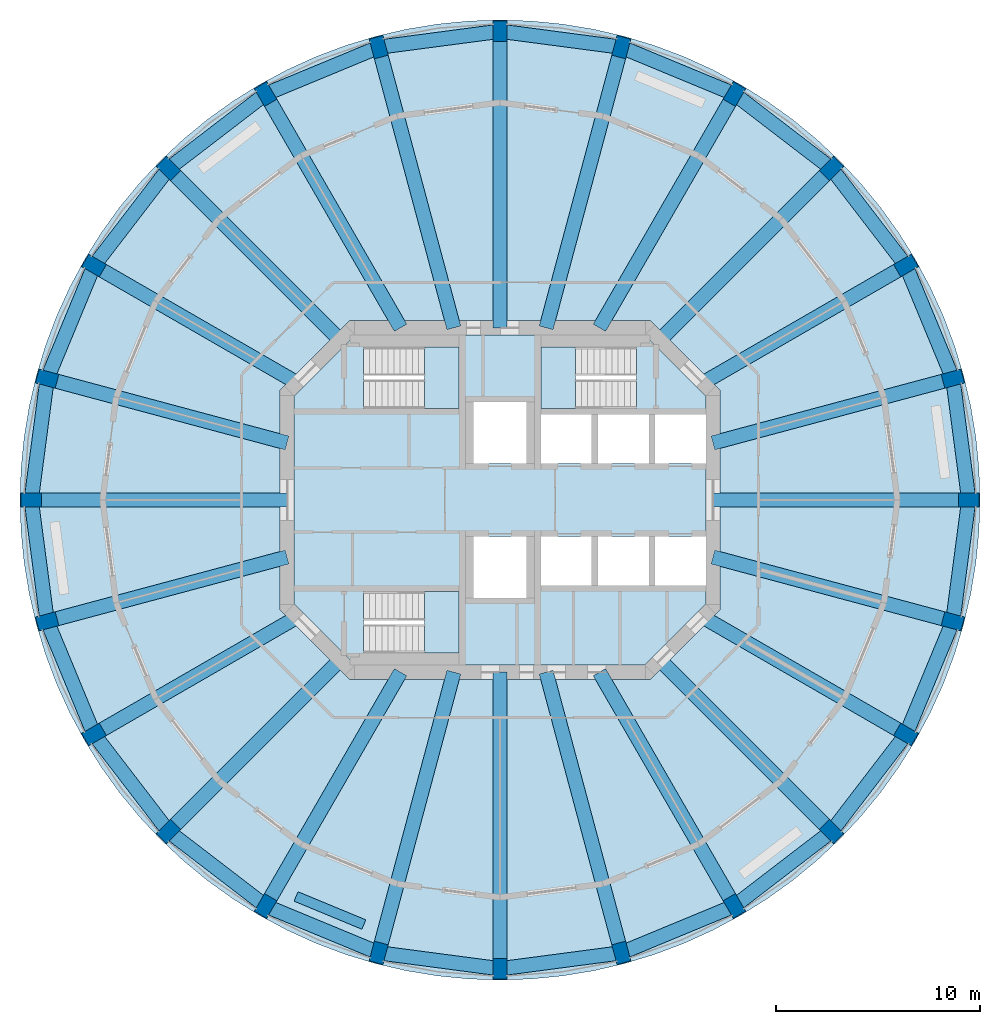
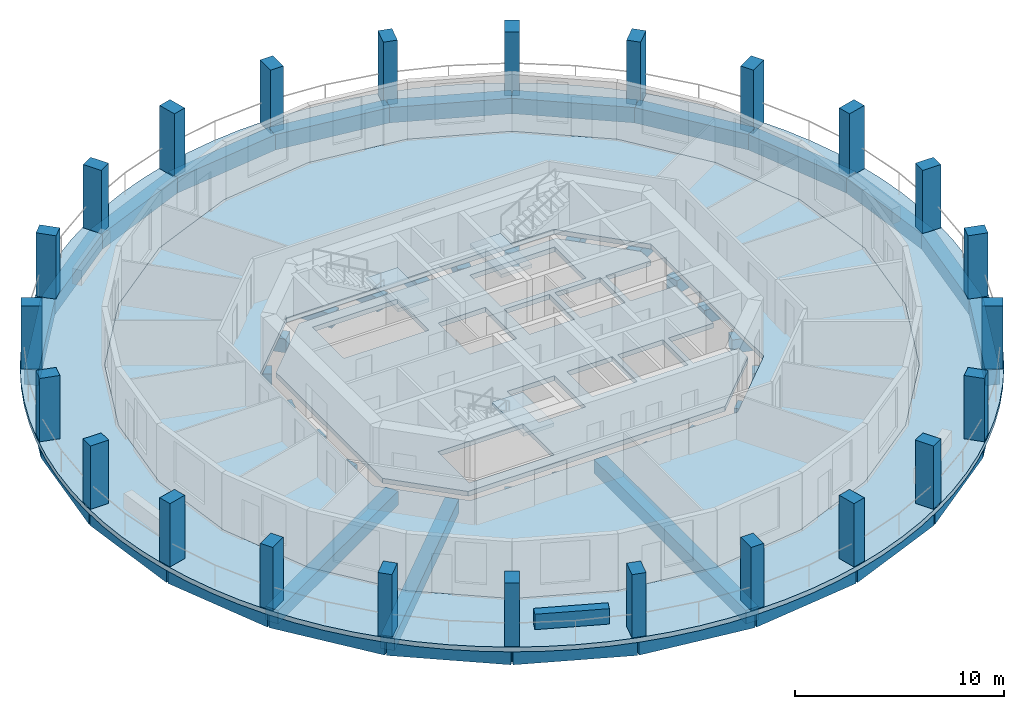
# One storey, part 1 of 8: 48 beams, 24 columns, 6 slabs, 1 wall, 3 elements without a shape of their own.
"""IFC4 building model written with IfcOpenShell, lengths in metres."""

from ifc_helpers import new_model, si_unit, direction, frame, frame_2d, origin, origin_2d, place, context, subcontext, project, spatial, polyline, rectangle, outline, extrude, material, layer, layer_set, material_profile, profile_set, type_object, element, aggregate, save


model = new_model("IFC4")

# Units and contexts
model_context = context("Model", 3, precision=1e-05, world=origin(), true_north=direction((0.0, 1.0)))
body_context = subcontext(model_context, "Body", "Model", "MODEL_VIEW")
ifc_project = project(units=[si_unit("LENGTHUNIT", "METRE"), si_unit("AREAUNIT", "SQUARE_METRE"), si_unit("VOLUMEUNIT", "CUBIC_METRE"), si_unit("PLANEANGLEUNIT", "RADIAN"), si_unit("MASSUNIT", "GRAM", prefix="KILO")], contexts=[model_context])

# Site, building, storey
site_placement = place(None, origin())
site = spatial("IfcSite", under=ifc_project, at=site_placement, CompositionType="ELEMENT")
building_placement = place(site_placement, origin())
building = spatial("IfcBuilding", under=site, at=building_placement, Name="Torre Triforio", CompositionType="ELEMENT")
storey_placement = place(building_placement, frame((0.0, 0.0, 196.5)))
storey = spatial("IfcBuildingStorey", under=building, at=storey_placement, Name="L44", CompositionType="ELEMENT", Elevation=196.5)

# Columns
ifc_material_1 = material(Name="Concrete C50", Category="concrete")
ifc_material_profile_1 = material_profile(ifc_material_1, rectangle(XDim=0.699951171875, YDim=1.0, at=origin_2d()), Name="RC 700x1000")
ifc_profile_set_1 = profile_set([ifc_material_profile_1], Name="Concrete C50")
column_type = type_object("IfcColumnType", Name="Pier RC 700x1000 C50", PredefinedType="COLUMN", material=ifc_profile_set_1)
for number, where, z_axis, x_axis, name in (
    (1, (23.0, 0.0, 0.0), (0.0, 0.0, 1.0), (0.0, 1.0, 0.0), "COL.R.L44.00"),
    (2, (22.21630859375, 5.952880859375, 0.0), (0.0, 0.0, 1.0), (-0.258819045103, 0.965925826289, 0.0), "COL.R.L44.01"),
    (3, (19.918701171875, 11.5, 0.0), (0.0, 0.0, 1.0), (-0.5, 0.866025403784, 0.0), "COL.R.L44.02"),
    (4, (16.263427734375, 16.263427734375, 0.0), (0.0, 0.0, 1.0), (-0.707106781187, 0.707106781187, 0.0), "COL.R.L44.03"),
    (5, (11.5, 19.918701171875, 0.0), (0.0, 0.0, 1.0), (-0.866025403784, 0.5, 0.0), "COL.R.L44.04"),
    (6, (5.952880859375, 22.21630859375, 0.0), (0.0, 0.0, 1.0), (-0.965925826289, 0.258819045103, 0.0), "COL.R.L44.05"),
    (7, (0.0, 23.0, 0.0), (0.0, 0.0, 1.0), (-1.0, 0.0, 0.0), "COL.R.L44.06"),
    (8, (-5.952880859375, 22.21630859375, 0.0), (0.0, 0.0, 1.0), (-0.965925826289, -0.258819045103, 0.0), "COL.R.L44.07"),
    (9, (-11.5, 19.918701171875, 0.0), (0.0, 0.0, 1.0), (-0.866025403784, -0.5, 0.0), "COL.R.L44.08"),
    (10, (-16.263427734375, 16.263427734375, 0.0), (0.0, 0.0, 1.0), (-0.707106781187, -0.707106781187, 0.0), "COL.R.L44.09"),
    (11, (-19.918701171875, 11.5, 0.0), (0.0, 0.0, 1.0), (-0.5, -0.866025403784, 0.0), "COL.R.L44.10"),
    (12, (-22.21630859375, 5.952880859375, 0.0), (0.0, 0.0, 1.0), (-0.258819045103, -0.965925826289, 0.0), "COL.R.L44.11"),
    (13, (-23.0, 0.0, 0.0), (0.0, 0.0, 1.0), (0.0, -1.0, 0.0), "COL.R.L44.12"),
    (14, (-22.21630859375, -5.952880859375, 0.0), (0.0, 0.0, 1.0), (0.258819045103, -0.965925826289, 0.0), "COL.R.L44.13"),
    (15, (-19.918701171875, -11.5, 0.0), (0.0, 0.0, 1.0), (0.5, -0.866025403784, 0.0), "COL.R.L44.14"),
    (16, (-16.263427734375, -16.263427734375, 0.0), (0.0, 0.0, 1.0), (0.707106781187, -0.707106781187, 0.0), "COL.R.L44.15"),
    (17, (-11.5, -19.918701171875, 0.0), (0.0, 0.0, 1.0), (0.866025403784, -0.5, 0.0), "COL.R.L44.16"),
    (18, (-5.952880859375, -22.21630859375, 0.0), (0.0, 0.0, 1.0), (0.965925826289, -0.258819045103, 0.0), "COL.R.L44.17"),
    (19, (0.0, -23.0, 0.0), (0.0, 0.0, 1.0), (1.0, 0.0, 0.0), "COL.R.L44.18"),
    (20, (5.952880859375, -22.21630859375, 0.0), (0.0, 0.0, 1.0), (0.965925826289, 0.258819045103, 0.0), "COL.R.L44.19"),
    (21, (11.5, -19.918701171875, 0.0), (0.0, 0.0, 1.0), (0.866025403784, 0.5, 0.0), "COL.R.L44.20"),
    (22, (16.263427734375, -16.263427734375, 0.0), (0.0, 0.0, 1.0), (0.707106781187, 0.707106781187, 0.0), "COL.R.L44.21"),
    (23, (19.918701171875, -11.5, 0.0), (0.0, 0.0, 1.0), (0.5, 0.866025403784, 0.0), "COL.R.L44.22"),
    (24, (22.21630859375, -5.952880859375, 0.0), (0.0, 0.0, 1.0), (0.258819045103, 0.965925826289, 0.0), "COL.R.L44.23"),
):
    element("IfcColumn", number, at=place(storey_placement, frame(where, z_axis=z_axis, x_axis=x_axis)), inside=storey, type_object=column_type, Name=name, PredefinedType="COLUMN", context=body_context, shape_type="SweptSolid", body=[
        extrude(rectangle(XDim=0.699951171875, YDim=1.0, at=origin_2d()), origin(), (0.0, 0.0, 1.0), 3.699951171875),
    ])

# Beams
ifc_material_2 = material(Name="Concrete C40", Category="concrete")
ifc_material_profile_2 = material_profile(ifc_material_2, rectangle(XDim=0.699951171875, YDim=0.800048828125, at=origin_2d()), Name="RC 700x800")
ifc_profile_set_2 = profile_set([ifc_material_profile_2], Name="Concrete C40")
beam_type_1 = type_object("IfcBeamType", Name="Radial beam RC 700x800 C40", PredefinedType="BEAM", material=ifc_profile_set_2)
beam_1_placement = place(storey_placement, frame((10.449951171875, 0.0, -0.679931640625), z_axis=(1.0, 0.0, 0.0), x_axis=(0.0, 1.0, 0.0)))
element("IfcBeam", 25, at=beam_1_placement, inside=storey, type_object=beam_type_1, Name="BM.R.L44.00", PredefinedType="BEAM", context=body_context, shape_type="SweptSolid", body=[
    extrude(rectangle(XDim=0.699951171875, YDim=0.800048828125, at=origin_2d()), origin(), (0.0, 0.0, 1.0), 12.550048828125),
])
beam_2_placement = place(storey_placement, frame((10.449951171875, 2.800048828125, -0.679931640625), z_axis=(0.965924880947, 0.258822573141, 0.0), x_axis=(-0.258822573141, 0.965924880947, 0.0)))
element("IfcBeam", 26, at=beam_2_placement, inside=storey, type_object=beam_type_1, Name="BM.R.L44.01", PredefinedType="BEAM", context=body_context, shape_type="SweptSolid", body=[
    extrude(rectangle(XDim=0.699951171875, YDim=0.800048828125, at=origin_2d()), origin(), (0.0, 0.0, 1.0), 12.181396484375),
])
beam_3_placement = place(storey_placement, frame((9.9501953125, 5.744873046875, -0.679931640625), z_axis=(0.866032648629, 0.499987451351, 0.0), x_axis=(-0.499987451351, 0.866032648629, 0.0)))
element("IfcBeam", 27, at=beam_3_placement, inside=storey, type_object=beam_type_1, Name="BM.R.L44.02", PredefinedType="BEAM", context=body_context, shape_type="SweptSolid", body=[
    extrude(rectangle(XDim=0.699951171875, YDim=0.800048828125, at=origin_2d()), origin(), (0.0, 0.0, 1.0), 11.510498046875),
])
beam_4_placement = place(storey_placement, frame((7.847412109375, 7.847412109375, -0.679931640625), z_axis=(0.707106781187, 0.707106781187, 0.0), x_axis=(-0.707106781187, 0.707106781187, 0.0)))
element("IfcBeam", 28, at=beam_4_placement, inside=storey, type_object=beam_type_1, Name="BM.R.L44.03", PredefinedType="BEAM", context=body_context, shape_type="SweptSolid", body=[
    extrude(rectangle(XDim=0.699951171875, YDim=0.800048828125, at=origin_2d()), origin(), (0.0, 0.0, 1.0), 11.902099609375),
])
beam_5_placement = place(storey_placement, frame((4.878662109375, 8.449951171875, -0.679931640625), z_axis=(0.499991617607, 0.866030243307, 0.0), x_axis=(-0.866030243307, 0.499991617607, 0.0)))
element("IfcBeam", 29, at=beam_5_placement, inside=storey, type_object=beam_type_1, Name="BM.R.L44.04", PredefinedType="BEAM", context=body_context, shape_type="SweptSolid", body=[
    extrude(rectangle(XDim=0.699951171875, YDim=0.800048828125, at=origin_2d()), origin(), (0.0, 0.0, 1.0), 13.242919921875),
])
beam_6_placement = place(storey_placement, frame((2.26416015625, 8.449951171875, -0.679931640625), z_axis=(0.258821424719, 0.96592518867, 0.0), x_axis=(-0.96592518867, 0.258821424719, 0.0)))
element("IfcBeam", 30, at=beam_6_placement, inside=storey, type_object=beam_type_1, Name="BM.R.L44.05", PredefinedType="BEAM", context=body_context, shape_type="SweptSolid", body=[
    extrude(rectangle(XDim=0.699951171875, YDim=0.800048828125, at=origin_2d()), origin(), (0.0, 0.0, 1.0), 14.251953125),
])
beam_7_placement = place(storey_placement, frame((0.0, 8.449951171875, -0.679931640625), z_axis=(0.0, 1.0, 0.0), x_axis=(-1.0, 0.0, 0.0)))
element("IfcBeam", 31, at=beam_7_placement, inside=storey, type_object=beam_type_1, Name="BM.R.L44.06", PredefinedType="BEAM", context=body_context, shape_type="SweptSolid", body=[
    extrude(rectangle(XDim=0.699951171875, YDim=0.800048828125, at=origin_2d()), origin(), (0.0, 0.0, 1.0), 14.550048828125),
])
beam_8_placement = place(storey_placement, frame((-2.26416015625, 8.449951171875, -0.679931640625), z_axis=(-0.258821424719, 0.96592518867, 0.0), x_axis=(-0.96592518867, -0.258821424719, 0.0)))
element("IfcBeam", 32, at=beam_8_placement, inside=storey, type_object=beam_type_1, Name="BM.R.L44.07", PredefinedType="BEAM", context=body_context, shape_type="SweptSolid", body=[
    extrude(rectangle(XDim=0.699951171875, YDim=0.800048828125, at=origin_2d()), origin(), (0.0, 0.0, 1.0), 14.251953125),
])
beam_9_placement = place(storey_placement, frame((-4.878662109375, 8.449951171875, -0.679931640625), z_axis=(-0.499991617607, 0.866030243307, 0.0), x_axis=(-0.866030243307, -0.499991617607, 0.0)))
element("IfcBeam", 33, at=beam_9_placement, inside=storey, type_object=beam_type_1, Name="BM.R.L44.08", PredefinedType="BEAM", context=body_context, shape_type="SweptSolid", body=[
    extrude(rectangle(XDim=0.699951171875, YDim=0.800048828125, at=origin_2d()), origin(), (0.0, 0.0, 1.0), 13.242919921875),
])
beam_10_placement = place(storey_placement, frame((-7.847412109375, 7.847412109375, -0.679931640625), z_axis=(-0.707106781187, 0.707106781187, 0.0), x_axis=(-0.707106781187, -0.707106781187, 0.0)))
element("IfcBeam", 34, at=beam_10_placement, inside=storey, type_object=beam_type_1, Name="BM.R.L44.09", PredefinedType="BEAM", context=body_context, shape_type="SweptSolid", body=[
    extrude(rectangle(XDim=0.699951171875, YDim=0.800048828125, at=origin_2d()), origin(), (0.0, 0.0, 1.0), 11.902099609375),
])
beam_11_placement = place(storey_placement, frame((-9.9501953125, 5.744873046875, -0.679931640625), z_axis=(-0.866032648629, 0.499987451351, 0.0), x_axis=(-0.499987451351, -0.866032648629, 0.0)))
element("IfcBeam", 35, at=beam_11_placement, inside=storey, type_object=beam_type_1, Name="BM.R.L44.10", PredefinedType="BEAM", context=body_context, shape_type="SweptSolid", body=[
    extrude(rectangle(XDim=0.699951171875, YDim=0.800048828125, at=origin_2d()), origin(), (0.0, 0.0, 1.0), 11.510498046875),
])
beam_12_placement = place(storey_placement, frame((-10.449951171875, 2.800048828125, -0.679931640625), z_axis=(-0.965924880947, 0.258822573141, 0.0), x_axis=(-0.258822573141, -0.965924880947, 0.0)))
element("IfcBeam", 36, at=beam_12_placement, inside=storey, type_object=beam_type_1, Name="BM.R.L44.11", PredefinedType="BEAM", context=body_context, shape_type="SweptSolid", body=[
    extrude(rectangle(XDim=0.699951171875, YDim=0.800048828125, at=origin_2d()), origin(), (0.0, 0.0, 1.0), 12.181396484375),
])
beam_13_placement = place(storey_placement, frame((-10.449951171875, 0.0, -0.679931640625), z_axis=(-1.0, 0.0, 0.0), x_axis=(0.0, -1.0, 0.0)))
element("IfcBeam", 37, at=beam_13_placement, inside=storey, type_object=beam_type_1, Name="BM.R.L44.12", PredefinedType="BEAM", context=body_context, shape_type="SweptSolid", body=[
    extrude(rectangle(XDim=0.699951171875, YDim=0.800048828125, at=origin_2d()), origin(), (0.0, 0.0, 1.0), 12.550048828125),
])
beam_14_placement = place(storey_placement, frame((-10.449951171875, -2.800048828125, -0.679931640625), z_axis=(-0.965924880947, -0.258822573141, 0.0), x_axis=(0.258822573141, -0.965924880947, 0.0)))
element("IfcBeam", 38, at=beam_14_placement, inside=storey, type_object=beam_type_1, Name="BM.R.L44.13", PredefinedType="BEAM", context=body_context, shape_type="SweptSolid", body=[
    extrude(rectangle(XDim=0.699951171875, YDim=0.800048828125, at=origin_2d()), origin(), (0.0, 0.0, 1.0), 12.181396484375),
])
beam_15_placement = place(storey_placement, frame((-9.9501953125, -5.744873046875, -0.679931640625), z_axis=(-0.866032648629, -0.499987451351, 0.0), x_axis=(0.499987451351, -0.866032648629, 0.0)))
element("IfcBeam", 39, at=beam_15_placement, inside=storey, type_object=beam_type_1, Name="BM.R.L44.14", PredefinedType="BEAM", context=body_context, shape_type="SweptSolid", body=[
    extrude(rectangle(XDim=0.699951171875, YDim=0.800048828125, at=origin_2d()), origin(), (0.0, 0.0, 1.0), 11.510498046875),
])
beam_16_placement = place(storey_placement, frame((-7.847412109375, -7.847412109375, -0.679931640625), z_axis=(-0.707106781187, -0.707106781187, 0.0), x_axis=(0.707106781187, -0.707106781187, 0.0)))
element("IfcBeam", 40, at=beam_16_placement, inside=storey, type_object=beam_type_1, Name="BM.R.L44.15", PredefinedType="BEAM", context=body_context, shape_type="SweptSolid", body=[
    extrude(rectangle(XDim=0.699951171875, YDim=0.800048828125, at=origin_2d()), origin(), (0.0, 0.0, 1.0), 11.902099609375),
])
beam_17_placement = place(storey_placement, frame((-4.878662109375, -8.449951171875, -0.679931640625), z_axis=(-0.499991617607, -0.866030243307, 0.0), x_axis=(0.866030243307, -0.499991617607, 0.0)))
element("IfcBeam", 41, at=beam_17_placement, inside=storey, type_object=beam_type_1, Name="BM.R.L44.16", PredefinedType="BEAM", context=body_context, shape_type="SweptSolid", body=[
    extrude(rectangle(XDim=0.699951171875, YDim=0.800048828125, at=origin_2d()), origin(), (0.0, 0.0, 1.0), 13.242919921875),
])
beam_18_placement = place(storey_placement, frame((-2.26416015625, -8.449951171875, -0.679931640625), z_axis=(-0.258821424719, -0.96592518867, 0.0), x_axis=(0.96592518867, -0.258821424719, 0.0)))
element("IfcBeam", 42, at=beam_18_placement, inside=storey, type_object=beam_type_1, Name="BM.R.L44.17", PredefinedType="BEAM", context=body_context, shape_type="SweptSolid", body=[
    extrude(rectangle(XDim=0.699951171875, YDim=0.800048828125, at=origin_2d()), origin(), (0.0, 0.0, 1.0), 14.251953125),
])
beam_19_placement = place(storey_placement, frame((0.0, -8.449951171875, -0.679931640625), z_axis=(0.0, -1.0, 0.0), x_axis=(1.0, 0.0, 0.0)))
element("IfcBeam", 43, at=beam_19_placement, inside=storey, type_object=beam_type_1, Name="BM.R.L44.18", PredefinedType="BEAM", context=body_context, shape_type="SweptSolid", body=[
    extrude(rectangle(XDim=0.699951171875, YDim=0.800048828125, at=origin_2d()), origin(), (0.0, 0.0, 1.0), 14.550048828125),
])
beam_20_placement = place(storey_placement, frame((2.26416015625, -8.449951171875, -0.679931640625), z_axis=(0.258821424719, -0.96592518867, 0.0), x_axis=(0.96592518867, 0.258821424719, 0.0)))
element("IfcBeam", 44, at=beam_20_placement, inside=storey, type_object=beam_type_1, Name="BM.R.L44.19", PredefinedType="BEAM", context=body_context, shape_type="SweptSolid", body=[
    extrude(rectangle(XDim=0.699951171875, YDim=0.800048828125, at=origin_2d()), origin(), (0.0, 0.0, 1.0), 14.251953125),
])
beam_21_placement = place(storey_placement, frame((4.878662109375, -8.449951171875, -0.679931640625), z_axis=(0.499991617607, -0.866030243307, 0.0), x_axis=(0.866030243307, 0.499991617607, 0.0)))
element("IfcBeam", 45, at=beam_21_placement, inside=storey, type_object=beam_type_1, Name="BM.R.L44.20", PredefinedType="BEAM", context=body_context, shape_type="SweptSolid", body=[
    extrude(rectangle(XDim=0.699951171875, YDim=0.800048828125, at=origin_2d()), origin(), (0.0, 0.0, 1.0), 13.242919921875),
])
beam_22_placement = place(storey_placement, frame((7.847412109375, -7.847412109375, -0.679931640625), z_axis=(0.707106781187, -0.707106781187, 0.0), x_axis=(0.707106781187, 0.707106781187, 0.0)))
element("IfcBeam", 46, at=beam_22_placement, inside=storey, type_object=beam_type_1, Name="BM.R.L44.21", PredefinedType="BEAM", context=body_context, shape_type="SweptSolid", body=[
    extrude(rectangle(XDim=0.699951171875, YDim=0.800048828125, at=origin_2d()), origin(), (0.0, 0.0, 1.0), 11.902099609375),
])
beam_23_placement = place(storey_placement, frame((9.9501953125, -5.744873046875, -0.679931640625), z_axis=(0.866032648629, -0.499987451351, 0.0), x_axis=(0.499987451351, 0.866032648629, 0.0)))
element("IfcBeam", 47, at=beam_23_placement, inside=storey, type_object=beam_type_1, Name="BM.R.L44.22", PredefinedType="BEAM", context=body_context, shape_type="SweptSolid", body=[
    extrude(rectangle(XDim=0.699951171875, YDim=0.800048828125, at=origin_2d()), origin(), (0.0, 0.0, 1.0), 11.510498046875),
])
beam_24_placement = place(storey_placement, frame((10.449951171875, -2.800048828125, -0.679931640625), z_axis=(0.965924880947, -0.258822573141, 0.0), x_axis=(0.258822573141, 0.965924880947, 0.0)))
element("IfcBeam", 48, at=beam_24_placement, inside=storey, type_object=beam_type_1, Name="BM.R.L44.23", PredefinedType="BEAM", context=body_context, shape_type="SweptSolid", body=[
    extrude(rectangle(XDim=0.699951171875, YDim=0.800048828125, at=origin_2d()), origin(), (0.0, 0.0, 1.0), 12.181396484375),
])
ifc_material_profile_3 = material_profile(ifc_material_2, rectangle(XDim=0.699951171875, YDim=0.89990234375, at=origin_2d()), Name="RC 700x900")
ifc_profile_set_3 = profile_set([ifc_material_profile_3], Name="Concrete C40")
beam_type_2 = type_object("IfcBeamType", Name="Spandrel beam RC 700x900 C40", PredefinedType="SPANDREL", material=ifc_profile_set_3)
for number, where, z_axis, x_axis, name in (
    (49, (23.0, 0.0, -0.72998046875), (-0.130522880875, 0.991445297315, 0.0), (-0.991445297315, -0.130522880875, 0.0), "BM.S.L44.00"),
    (50, (22.21630859375, 5.952880859375, -0.72998046875), (-0.382671411433, 0.923884511653, 0.0), (-0.923884511653, -0.382671411433, 0.0), "BM.S.L44.01"),
    (51, (19.918701171875, 11.5, -0.72998046875), (-0.608778912074, 0.793339924758, 0.0), (-0.793339924758, -0.608778912074, 0.0), "BM.S.L44.02"),
    (52, (16.263427734375, 16.263427734375, -0.72998046875), (-0.793339924758, 0.608778912074, 0.0), (-0.608778912074, -0.793339924758, 0.0), "BM.S.L44.03"),
    (53, (11.5, 19.918701171875, -0.72998046875), (-0.923884511653, 0.382671411433, 0.0), (-0.382671411433, -0.923884511653, 0.0), "BM.S.L44.04"),
    (54, (5.952880859375, 22.21630859375, -0.72998046875), (-0.991445297315, 0.130522880875, 0.0), (-0.130522880875, -0.991445297315, 0.0), "BM.S.L44.05"),
    (55, (0.0, 23.0, -0.72998046875), (-0.991445297315, -0.130522880875, 0.0), (0.130522880875, -0.991445297315, 0.0), "BM.S.L44.06"),
    (56, (-5.952880859375, 22.21630859375, -0.72998046875), (-0.923884511653, -0.382671411433, 0.0), (0.382671411433, -0.923884511653, 0.0), "BM.S.L44.07"),
    (57, (-11.5, 19.918701171875, -0.72998046875), (-0.793339924758, -0.608778912074, 0.0), (0.608778912074, -0.793339924758, 0.0), "BM.S.L44.08"),
    (58, (-16.263427734375, 16.263427734375, -0.72998046875), (-0.608778912074, -0.793339924758, 0.0), (0.793339924758, -0.608778912074, 0.0), "BM.S.L44.09"),
    (59, (-19.918701171875, 11.5, -0.72998046875), (-0.382671411433, -0.923884511653, 0.0), (0.923884511653, -0.382671411433, 0.0), "BM.S.L44.10"),
    (60, (-22.21630859375, 5.952880859375, -0.72998046875), (-0.130522880875, -0.991445297315, 0.0), (0.991445297315, -0.130522880875, 0.0), "BM.S.L44.11"),
    (61, (-23.0, 0.0, -0.72998046875), (0.130522880875, -0.991445297315, 0.0), (0.991445297315, 0.130522880875, 0.0), "BM.S.L44.12"),
    (62, (-22.21630859375, -5.952880859375, -0.72998046875), (0.382671411433, -0.923884511653, 0.0), (0.923884511653, 0.382671411433, 0.0), "BM.S.L44.13"),
    (63, (-19.918701171875, -11.5, -0.72998046875), (0.608778912074, -0.793339924758, 0.0), (0.793339924758, 0.608778912074, 0.0), "BM.S.L44.14"),
    (64, (-16.263427734375, -16.263427734375, -0.72998046875), (0.793339924758, -0.608778912074, 0.0), (0.608778912074, 0.793339924758, 0.0), "BM.S.L44.15"),
    (65, (-11.5, -19.918701171875, -0.72998046875), (0.923884511653, -0.382671411433, 0.0), (0.382671411433, 0.923884511653, 0.0), "BM.S.L44.16"),
    (66, (-5.952880859375, -22.21630859375, -0.72998046875), (0.991445297315, -0.130522880875, 0.0), (0.130522880875, 0.991445297315, 0.0), "BM.S.L44.17"),
    (67, (0.0, -23.0, -0.72998046875), (0.991445297315, 0.130522880875, 0.0), (-0.130522880875, 0.991445297315, 0.0), "BM.S.L44.18"),
    (68, (5.952880859375, -22.21630859375, -0.72998046875), (0.923884511653, 0.382671411433, 0.0), (-0.382671411433, 0.923884511653, 0.0), "BM.S.L44.19"),
    (69, (11.5, -19.918701171875, -0.72998046875), (0.793339924758, 0.608778912074, 0.0), (-0.608778912074, 0.793339924758, 0.0), "BM.S.L44.20"),
    (70, (16.263427734375, -16.263427734375, -0.72998046875), (0.608778912074, 0.793339924758, 0.0), (-0.793339924758, 0.608778912074, 0.0), "BM.S.L44.21"),
    (71, (19.918701171875, -11.5, -0.72998046875), (0.382671411433, 0.923884511653, 0.0), (-0.923884511653, 0.382671411433, 0.0), "BM.S.L44.22"),
    (72, (22.21630859375, -5.952880859375, -0.72998046875), (0.130522880875, 0.991445297315, 0.0), (-0.991445297315, 0.130522880875, 0.0), "BM.S.L44.23"),
):
    element("IfcBeam", number, at=place(storey_placement, frame(where, z_axis=z_axis, x_axis=x_axis)), inside=storey, type_object=beam_type_2, Name=name, PredefinedType="SPANDREL", context=body_context, shape_type="SweptSolid", body=[
        extrude(rectangle(XDim=0.699951171875, YDim=0.89990234375, at=origin_2d()), origin(), (0.0, 0.0, 1.0), 6.004150390625),
    ])

# Slabs
ifc_layer_1 = layer(ifc_material_1, 0.280029296875)
ifc_layer_set_1 = layer_set([ifc_layer_1], Name="Concrete C50")
slab_type_1 = type_object("IfcSlabType", Name="Core floor slab 280 mm C50 REI 120", PredefinedType="FLOOR", material=ifc_layer_set_1)
slab_1_placement = place(storey_placement, frame((0.0, 0.0, -0.280029296875)))
element("IfcSlab", 73, at=slab_1_placement, inside=storey, type_object=slab_type_1, Name="Core floor slab", PredefinedType="FLOOR", context=body_context, shape_type="SweptSolid", body=[
    extrude(outline(polyline([(10.10009765625, -5.10009765625), (7.10009765625, -8.10009765625), (-7.10009765625, -8.10009765625), (-10.10009765625, -5.10009765625), (-10.10009765625, 5.10009765625), (-7.10009765625, 8.10009765625), (7.10009765625, 8.10009765625), (10.10009765625, 5.10009765625), (10.10009765625, 4.199951171875), (7.60009765625, 4.199951171875), (7.60009765625, 1.800048828125), (10.10009765625, 1.800048828125), (10.10009765625, -1.800048828125), (7.60009765625, -1.800048828125), (7.60009765625, -4.199951171875), (10.10009765625, -4.199951171875), (10.10009765625, -5.10009765625)]), holes=[polyline([(-6.696044921875, -4.5), (-6.696044921875, -7.5), (-2.0, -7.5), (-2.0, -4.5), (-6.696044921875, -4.5)]), polyline([(-1.300048828125, -1.800048828125), (-1.300048828125, -4.800048828125), (1.300048828125, -4.800048828125), (1.300048828125, -1.800048828125), (-1.300048828125, -1.800048828125)]), polyline([(2.0, -1.800048828125), (2.0, -4.199951171875), (4.5, -4.199951171875), (4.5, -1.800048828125), (2.0, -1.800048828125)]), polyline([(4.5, 4.199951171875), (2.0, 4.199951171875), (2.0, 1.800048828125), (4.5, 1.800048828125), (4.5, 4.199951171875)]), polyline([(1.300048828125, 4.800048828125), (-1.300048828125, 4.800048828125), (-1.300048828125, 1.800048828125), (1.300048828125, 1.800048828125), (1.300048828125, 4.800048828125)]), polyline([(-6.696044921875, 7.5), (-6.696044921875, 4.5), (-2.0, 4.5), (-2.0, 7.5), (-6.696044921875, 7.5)]), polyline([(7.300048828125, -1.800048828125), (4.800048828125, -1.800048828125), (4.800048828125, -4.199951171875), (7.300048828125, -4.199951171875), (7.300048828125, -1.800048828125)]), polyline([(4.800048828125, 4.199951171875), (4.800048828125, 1.800048828125), (7.300048828125, 1.800048828125), (7.300048828125, 4.199951171875), (4.800048828125, 4.199951171875)]), polyline([(6.696044921875, 7.5), (2.0, 7.5), (2.0, 4.5), (6.696044921875, 4.5), (6.696044921875, 7.5)])]), origin(), (0.0, 0.0, 1.0), 0.280029296875),
])
ifc_layer_2 = layer(ifc_material_2, 0.280029296875)
ifc_layer_set_2 = layer_set([ifc_layer_2], Name="Concrete C40")
slab_type_2 = type_object("IfcSlabType", Name="Floor slab 280 C40", PredefinedType="FLOOR", material=ifc_layer_set_2)
slab_2_placement = place(storey_placement, frame((0.0, 0.0, -0.280029296875)))
element("IfcSlab", 74, at=slab_2_placement, inside=storey, type_object=slab_type_2, Name="SL.L44", PredefinedType="FLOOR", context=body_context, shape_type="SweptSolid", body=[
    extrude(outline(polyline([(16.887451171875, -9.75), (18.83544921875, -5.046875), (19.5, 0.0), (18.83544921875, 5.046875), (16.887451171875, 9.75), (13.78857421875, 13.78857421875), (9.75, 16.887451171875), (5.046875, 18.83544921875), (0.0, 19.5), (-5.046875, 18.83544921875), (-9.75, 16.887451171875), (-13.78857421875, 13.78857421875), (-16.887451171875, 9.75), (-18.83544921875, 5.046875), (-19.5, 0.0), (-18.83544921875, -5.046875), (-16.887451171875, -9.75), (-13.78857421875, -13.78857421875), (-9.75, -16.887451171875), (-5.046875, -18.83544921875), (0.0, -19.5), (5.046875, -18.83544921875), (9.75, -16.887451171875), (13.78857421875, -13.78857421875), (16.887451171875, -9.75)]), holes=[polyline([(10.800048828125, 5.389892578125), (10.800048828125, -5.389892578125), (7.389892578125, -8.800048828125), (-7.389892578125, -8.800048828125), (-10.800048828125, -5.389892578125), (-10.800048828125, 5.389892578125), (-7.389892578125, 8.800048828125), (7.389892578125, 8.800048828125), (10.800048828125, 5.389892578125)])]), origin(), (0.0, 0.0, 1.0), 0.280029296875),
])
ifc_layer_3 = layer(ifc_material_2, 0.280029296875)
ifc_layer_set_3 = layer_set([ifc_layer_3], Name="Concrete C40")
slab_type_3 = type_object("IfcSlabType", Name="Loggia slab 280 C40", PredefinedType="FLOOR", material=ifc_layer_set_3)
slab_3_placement = place(storey_placement, frame((0.0, 0.0, -0.280029296875)))
element("IfcSlab", 75, at=slab_3_placement, inside=storey, type_object=slab_type_3, Name="SL.L44.LG", PredefinedType="FLOOR", context=body_context, shape_type="SweptSolid", body=[
    extrude(outline(polyline([(23.49951171875, -1.540283203125), (23.550048828125, 0.0), (23.49951171875, 1.540283203125), (23.3486328125, 3.073974609375), (23.097412109375, 4.594482421875), (22.74755859375, 6.09521484375), (22.30029296875, 7.56982421875), (21.75732421875, 9.01220703125), (21.121337890625, 10.416015625), (20.39501953125, 11.77490234375), (19.5810546875, 13.083740234375), (18.683349609375, 14.33642578125), (17.705810546875, 15.527587890625), (16.65234375, 16.65234375), (15.527587890625, 17.705810546875), (14.33642578125, 18.683349609375), (13.083740234375, 19.5810546875), (11.77490234375, 20.39501953125), (10.416015625, 21.121337890625), (9.01220703125, 21.75732421875), (7.56982421875, 22.30029296875), (6.09521484375, 22.74755859375), (4.594482421875, 23.097412109375), (3.073974609375, 23.3486328125), (1.540283203125, 23.49951171875), (0.0, 23.550048828125), (-1.540283203125, 23.49951171875), (-3.073974609375, 23.3486328125), (-4.594482421875, 23.097412109375), (-6.09521484375, 22.74755859375), (-7.56982421875, 22.30029296875), (-9.01220703125, 21.75732421875), (-10.416015625, 21.121337890625), (-11.77490234375, 20.39501953125), (-13.083740234375, 19.5810546875), (-14.33642578125, 18.683349609375), (-15.527587890625, 17.705810546875), (-16.65234375, 16.65234375), (-17.705810546875, 15.527587890625), (-18.683349609375, 14.33642578125), (-19.5810546875, 13.083740234375), (-20.39501953125, 11.77490234375), (-21.121337890625, 10.416015625), (-21.75732421875, 9.01220703125), (-22.30029296875, 7.56982421875), (-22.74755859375, 6.09521484375), (-23.097412109375, 4.594482421875), (-23.3486328125, 3.073974609375), (-23.49951171875, 1.540283203125), (-23.550048828125, 0.0), (-23.49951171875, -1.540283203125), (-23.3486328125, -3.073974609375), (-23.097412109375, -4.594482421875), (-22.74755859375, -6.09521484375), (-22.30029296875, -7.56982421875), (-21.75732421875, -9.01220703125), (-21.121337890625, -10.416015625), (-20.39501953125, -11.77490234375), (-19.5810546875, -13.083740234375), (-18.683349609375, -14.33642578125), (-17.705810546875, -15.527587890625), (-16.65234375, -16.65234375), (-15.527587890625, -17.705810546875), (-14.33642578125, -18.683349609375), (-13.083740234375, -19.5810546875), (-11.77490234375, -20.39501953125), (-10.416015625, -21.121337890625), (-9.01220703125, -21.75732421875), (-7.56982421875, -22.30029296875), (-6.09521484375, -22.74755859375), (-4.594482421875, -23.097412109375), (-3.073974609375, -23.3486328125), (-1.540283203125, -23.49951171875), (0.0, -23.550048828125), (1.540283203125, -23.49951171875), (3.073974609375, -23.3486328125), (4.594482421875, -23.097412109375), (6.09521484375, -22.74755859375), (7.56982421875, -22.30029296875), (9.01220703125, -21.75732421875), (10.416015625, -21.121337890625), (11.77490234375, -20.39501953125), (13.083740234375, -19.5810546875), (14.33642578125, -18.683349609375), (15.527587890625, -17.705810546875), (16.65234375, -16.65234375), (17.705810546875, -15.527587890625), (18.683349609375, -14.33642578125), (19.5810546875, -13.083740234375), (20.39501953125, -11.77490234375), (21.121337890625, -10.416015625), (21.75732421875, -9.01220703125), (22.30029296875, -7.56982421875), (22.74755859375, -6.09521484375), (23.097412109375, -4.594482421875), (23.3486328125, -3.073974609375), (23.49951171875, -1.540283203125)]), holes=[polyline([(18.83544921875, 5.046875), (19.5, 0.0), (18.83544921875, -5.046875), (16.887451171875, -9.75), (13.78857421875, -13.78857421875), (9.75, -16.887451171875), (5.046875, -18.83544921875), (0.0, -19.5), (-5.046875, -18.83544921875), (-9.75, -16.887451171875), (-13.78857421875, -13.78857421875), (-16.887451171875, -9.75), (-18.83544921875, -5.046875), (-19.5, 0.0), (-18.83544921875, 5.046875), (-16.887451171875, 9.75), (-13.78857421875, 13.78857421875), (-9.75, 16.887451171875), (-5.046875, 18.83544921875), (0.0, 19.5), (5.046875, 18.83544921875), (9.75, 16.887451171875), (13.78857421875, 13.78857421875), (16.887451171875, 9.75), (18.83544921875, 5.046875)])]), origin(), (0.0, 0.0, 1.0), 0.280029296875),
])

# Stair, slab
stair_type = type_object("IfcStairType", Name="STAIR HALF-TURN", PredefinedType="HALF_TURN_STAIR", material=ifc_material_2)
stair_1_placement = place(storey_placement, origin())
stair_1 = element("IfcStair", 76, at=stair_1_placement, inside=storey, type_object=stair_type, Name="Exit stair 1", PredefinedType="HALF_TURN_STAIR")
ifc_layer_4 = layer(ifc_material_2, 0.199951171875)
ifc_layer_set_4 = layer_set([ifc_layer_4], Name="Concrete C40")
slab_type_4 = type_object("IfcSlabType", Name="STAIR LANDING 200", PredefinedType="LANDING", material=ifc_layer_set_4)
slab_4_placement = place(storey_placement, frame((0.0, 0.0, 1.64990234375)))
slab_4 = element("IfcSlab", 77, at=slab_4_placement, type_object=slab_type_4, Name="ST1 landing 1", PredefinedType="LANDING", context=body_context, shape_type="SweptSolid", body=[
    extrude(outline(polyline([(-2.0, 4.5), (-2.0, 7.5), (-3.699951171875, 7.5), (-3.699951171875, 4.5), (-2.0, 4.5)])), origin(), (0.0, 0.0, 1.0), 0.2001953125),
])
aggregate(stair_1, [slab_4])

stair_2_placement = place(storey_placement, origin())
stair_2 = element("IfcStair", 78, at=stair_2_placement, inside=storey, type_object=stair_type, Name="Exit stair 2", PredefinedType="HALF_TURN_STAIR")
slab_5_placement = place(storey_placement, frame((0.0, 0.0, 1.64990234375)))
slab_5 = element("IfcSlab", 79, at=slab_5_placement, type_object=slab_type_4, Name="ST2 landing 1", PredefinedType="LANDING", context=body_context, shape_type="SweptSolid", body=[
    extrude(outline(polyline([(3.699951171875, 4.5), (3.699951171875, 7.5), (2.0, 7.5), (2.0, 4.5), (3.699951171875, 4.5)])), origin(), (0.0, 0.0, 1.0), 0.2001953125),
])
aggregate(stair_2, [slab_5])

stair_3_placement = place(storey_placement, origin())
stair_3 = element("IfcStair", 80, at=stair_3_placement, inside=storey, type_object=stair_type, Name="Exit stair 3", PredefinedType="HALF_TURN_STAIR")
slab_6_placement = place(storey_placement, frame((0.0, 0.0, 1.64990234375)))
slab_6 = element("IfcSlab", 81, at=slab_6_placement, type_object=slab_type_4, Name="ST3 landing 1", PredefinedType="LANDING", context=body_context, shape_type="SweptSolid", body=[
    extrude(outline(polyline([(-2.0, -7.5), (-2.0, -4.5), (-3.699951171875, -4.5), (-3.699951171875, -7.5), (-2.0, -7.5)])), origin(), (0.0, 0.0, 1.0), 0.2001953125),
])
aggregate(stair_3, [slab_6])

# Wall
ifc_material_3 = material(Name="Limestone cladding", Category="masonry")
ifc_layer_5 = layer(ifc_material_3, 0.10009765625)
ifc_layer_6 = layer(ifc_material_2, 0.39990234375)
ifc_layer_set_5 = layer_set([ifc_layer_5, ifc_layer_6], Name="Limestone cladding / Concrete C40")
wall_type = type_object("IfcWallType", Name="Planter wall 500", PredefinedType="PARAPET", material=ifc_layer_set_5)
wall_placement = place(storey_placement, frame((-10.005615234375, -19.45166015625, 0.0), z_axis=(0.0, 0.0, 1.0), x_axis=(0.923885420167, -0.382669217998, 0.0)))
element("IfcWall", 82, at=wall_placement, inside=storey, type_object=wall_type, Name="Planter L44 bay 17", PredefinedType="PARAPET", context=body_context, shape_type="SweptSolid", body=[
    extrude(rectangle(XDim=3.60009765625, YDim=0.5, at=frame_2d((1.800048828125, 0.0))), origin(), (0.0, 0.0, 1.0), 0.89990234375),
])

save(model, "model.ifc")
